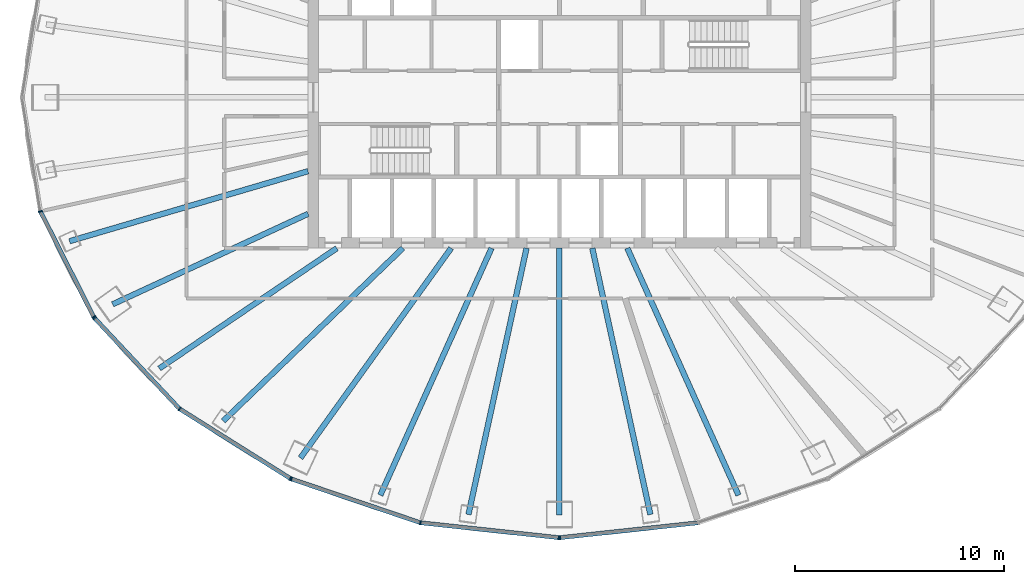
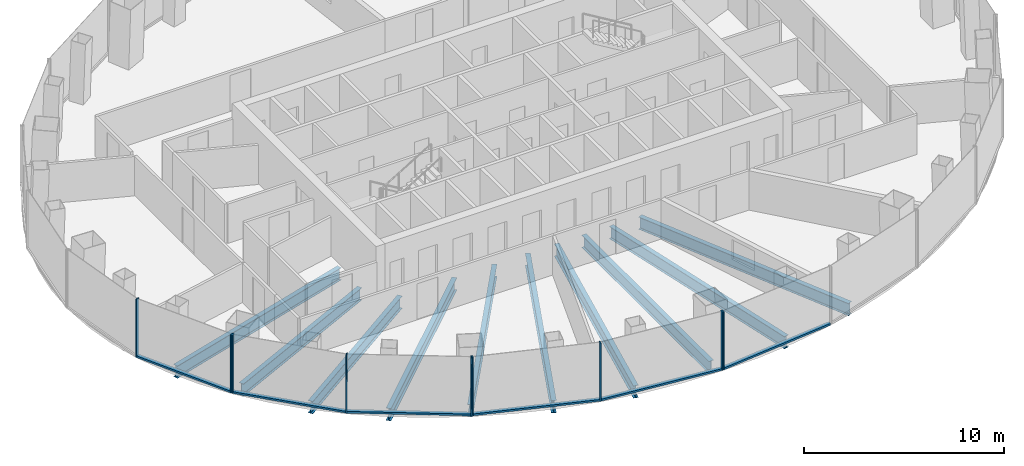
# One storey, part 2 of 12: 15 members, 10 beams, 4 elements without a shape of their own.
"""IFC4 building model written with IfcOpenShell, lengths in metres."""

from ifc_helpers import new_model, si_unit, direction, frame, origin, origin_2d, place, context, subcontext, project, spatial, rectangle, i_section, extrude, material, layer, layer_set, material_profile, profile_set, type_object, element, aggregate, save


model = new_model("IFC4")

# Units and contexts
model_context = context("Model", 3, precision=1e-05, world=origin(), true_north=direction((0.0, 1.0)))
body_context = subcontext(model_context, "Body", "Model", "MODEL_VIEW")
ifc_project = project(units=[si_unit("LENGTHUNIT", "METRE"), si_unit("AREAUNIT", "SQUARE_METRE"), si_unit("VOLUMEUNIT", "CUBIC_METRE"), si_unit("PLANEANGLEUNIT", "RADIAN"), si_unit("MASSUNIT", "GRAM", prefix="KILO")], contexts=[model_context])

# Site, building, storey
site_placement = place(None, origin())
site = spatial("IfcSite", under=ifc_project, at=site_placement, CompositionType="ELEMENT")
building_placement = place(site_placement, origin())
building = spatial("IfcBuilding", under=site, at=building_placement, Name="Siaravel Broadcast Tower", CompositionType="ELEMENT")
storey_placement = place(building_placement, frame((0.0, 0.0, 111.89990234375)))
storey = spatial("IfcBuildingStorey", under=building, at=storey_placement, Name="L26", CompositionType="ELEMENT", Elevation=111.89990234375)

# Beams
ifc_material_1 = material(Name="Steel S355", Category="steel")
ifc_material_profile_1 = material_profile(ifc_material_1, i_section(OverallWidth=0.26513671875, OverallDepth=0.75390625, WebThickness=0.0126953125, FlangeThickness=0.017578125, FilletRadius=0.0166015625, at=origin_2d()))
ifc_profile_set_1 = profile_set([ifc_material_profile_1], Name="Steel S355")
beam_type = type_object("IfcBeamType", Name="BM-UB 762x267x147", PredefinedType="BEAM", material=ifc_profile_set_1)
beam_1_placement = place(storey_placement, frame((-23.39013671875, -6.866455078125, -0.52685546875), z_axis=(0.959508819, 0.281678587, 0.0), x_axis=(-0.281678587, 0.959508819, 0.0)))
element("IfcBeam", 1, at=beam_1_placement, inside=storey, type_object=beam_type, Name="Radial beam RB21", PredefinedType="BEAM", context=body_context, shape_type="SweptSolid", body=[
    extrude(i_section(OverallWidth=0.26513671875, OverallDepth=0.75390625, WebThickness=0.0126953125, FlangeThickness=0.017578125, FilletRadius=0.0166015625, at=origin_2d()), origin(), (0.0, 0.0, 1.0), 11.870849609375),
])
beam_2_placement = place(storey_placement, frame((-21.331298828125, -9.87939453125, -0.52685546875), z_axis=(0.9074027, 0.420262227, 0.0), x_axis=(-0.420262227, 0.9074027, 0.0)))
element("IfcBeam", 2, at=beam_2_placement, inside=storey, type_object=beam_type, Name="Radial beam RB22", PredefinedType="BEAM", context=body_context, shape_type="SweptSolid", body=[
    extrude(i_section(OverallWidth=0.26513671875, OverallDepth=0.75390625, WebThickness=0.0126953125, FlangeThickness=0.017578125, FilletRadius=0.0166015625, at=origin_2d()), origin(), (0.0, 0.0, 1.0), 10.283447265625),
])
beam_3_placement = place(storey_placement, frame((-19.10498046875, -12.94287109375, -0.52685546875), z_axis=(0.827900476, 0.560875033, 0.0), x_axis=(-0.560875033, 0.827900476, 0.0)))
element("IfcBeam", 3, at=beam_3_placement, inside=storey, type_object=beam_type, Name="Radial beam RB23", PredefinedType="BEAM", context=body_context, shape_type="SweptSolid", body=[
    extrude(i_section(OverallWidth=0.26513671875, OverallDepth=0.75390625, WebThickness=0.0126953125, FlangeThickness=0.017578125, FilletRadius=0.0166015625, at=origin_2d()), origin(), (0.0, 0.0, 1.0), 10.2392578125),
])
beam_4_placement = place(storey_placement, frame((-16.046875, -15.447509765625, -0.52685546875), z_axis=(0.720435694, 0.693521745, 0.0), x_axis=(-0.693521745, 0.720435694, 0.0)))
element("IfcBeam", 4, at=beam_4_placement, inside=storey, type_object=beam_type, Name="Radial beam RB24", PredefinedType="BEAM", context=body_context, shape_type="SweptSolid", body=[
    extrude(i_section(OverallWidth=0.26513671875, OverallDepth=0.75390625, WebThickness=0.0126953125, FlangeThickness=0.017578125, FilletRadius=0.0166015625, at=origin_2d()), origin(), (0.0, 0.0, 1.0), 11.892333984375),
])
beam_5_placement = place(storey_placement, frame((-12.364501953125, -17.214599609375, -0.52685546875), z_axis=(0.583373273, 0.812204177, 0.0), x_axis=(-0.812204177, 0.583373273, 0.0)))
element("IfcBeam", 5, at=beam_5_placement, inside=storey, type_object=beam_type, Name="Radial beam RB25", PredefinedType="BEAM", context=body_context, shape_type="SweptSolid", body=[
    extrude(i_section(OverallWidth=0.26513671875, OverallDepth=0.75390625, WebThickness=0.0126953125, FlangeThickness=0.017578125, FilletRadius=0.0166015625, at=origin_2d()), origin(), (0.0, 0.0, 1.0), 12.330322265625),
])
beam_6_placement = place(storey_placement, frame((-8.55078125, -18.991455078125, -0.52685546875), z_axis=(0.4105515, 0.911837412, 0.0), x_axis=(-0.911837412, 0.4105515, 0.0)))
element("IfcBeam", 6, at=beam_6_placement, inside=storey, type_object=beam_type, Name="Radial beam RB26", PredefinedType="BEAM", context=body_context, shape_type="SweptSolid", body=[
    extrude(i_section(OverallWidth=0.26513671875, OverallDepth=0.75390625, WebThickness=0.0126953125, FlangeThickness=0.017578125, FilletRadius=0.0166015625, at=origin_2d()), origin(), (0.0, 0.0, 1.0), 12.931640625),
])
beam_7_placement = place(storey_placement, frame((-4.343017578125, -19.914794921875, -0.52685546875), z_axis=(0.213061255, 0.977038844, 0.0), x_axis=(-0.977038844, 0.213061255, 0.0)))
element("IfcBeam", 7, at=beam_7_placement, inside=storey, type_object=beam_type, Name="Radial beam RB27", PredefinedType="BEAM", context=body_context, shape_type="SweptSolid", body=[
    extrude(i_section(OverallWidth=0.26513671875, OverallDepth=0.75390625, WebThickness=0.0126953125, FlangeThickness=0.017578125, FilletRadius=0.0166015625, at=origin_2d()), origin(), (0.0, 0.0, 1.0), 13.013671875),
])
beam_8_placement = place(storey_placement, frame((0.0, -19.926025390625, -0.52685546875), z_axis=(0.0, 1.0, 0.0), x_axis=(-1.0, 0.0, 0.0)))
element("IfcBeam", 8, at=beam_8_placement, inside=storey, type_object=beam_type, Name="Radial beam RB28", PredefinedType="BEAM", context=body_context, shape_type="SweptSolid", body=[
    extrude(i_section(OverallWidth=0.26513671875, OverallDepth=0.75390625, WebThickness=0.0126953125, FlangeThickness=0.017578125, FilletRadius=0.0166015625, at=origin_2d()), origin(), (0.0, 0.0, 1.0), 12.72607421875),
])
beam_9_placement = place(storey_placement, frame((4.343017578125, -19.914794921875, -0.52685546875), z_axis=(-0.213061255, 0.977038844, 0.0), x_axis=(-0.977038844, -0.213061255, 0.0)))
element("IfcBeam", 9, at=beam_9_placement, inside=storey, type_object=beam_type, Name="Radial beam RB29", PredefinedType="BEAM", context=body_context, shape_type="SweptSolid", body=[
    extrude(i_section(OverallWidth=0.26513671875, OverallDepth=0.75390625, WebThickness=0.0126953125, FlangeThickness=0.017578125, FilletRadius=0.0166015625, at=origin_2d()), origin(), (0.0, 0.0, 1.0), 13.013671875),
])
beam_10_placement = place(storey_placement, frame((8.55078125, -18.991455078125, -0.52685546875), z_axis=(-0.4105515, 0.911837412, 0.0), x_axis=(-0.911837412, -0.4105515, 0.0)))
element("IfcBeam", 10, at=beam_10_placement, inside=storey, type_object=beam_type, Name="Radial beam RB30", PredefinedType="BEAM", context=body_context, shape_type="SweptSolid", body=[
    extrude(i_section(OverallWidth=0.26513671875, OverallDepth=0.75390625, WebThickness=0.0126953125, FlangeThickness=0.017578125, FilletRadius=0.0166015625, at=origin_2d()), origin(), (0.0, 0.0, 1.0), 12.931640625),
])

# Curtain wall, members
ifc_material_2 = material(Name="Aluminium 6063-T6", Category="aluminium")
ifc_layer = layer(ifc_material_2, 0.199951171875)
ifc_layer_set = layer_set([ifc_layer], Name="Aluminium 6063-T6")
curtain_wall_type = type_object("IfcCurtainWallType", Name="Unitised curtain wall, zone 2", PredefinedType="NOTDEFINED", material=ifc_layer_set)
curtain_wall_1_placement = place(storey_placement, origin())
curtain_wall_1 = element("IfcCurtainWall", 11, at=curtain_wall_1_placement, inside=storey, type_object=curtain_wall_type, Name="L26 Unitised curtain wall, zone 2 07", PredefinedType="NOTDEFINED")
ifc_material_profile_2 = material_profile(ifc_material_2, rectangle(XDim=0.199951171875, YDim=0.06494140625, at=origin_2d()))
ifc_profile_set_2 = profile_set([ifc_material_profile_2], Name="Aluminium 6063-T6")
member_type_1 = type_object("IfcMemberType", Name="CW-Z2 mullion", PredefinedType="MULLION", material=ifc_profile_set_2)
member_1_placement = place(storey_placement, frame((-24.7802734375, -5.44384765625, 0.0), z_axis=(0.0, 0.0, 1.0), x_axis=(0.951177123, 0.308645559, 0.0)))
member_1 = element("IfcMember", 12, at=member_1_placement, type_object=member_type_1, Name="CW-Z2 mullion 2", PredefinedType="MULLION", context=body_context, shape_type="SweptSolid", body=[
    extrude(rectangle(XDim=0.199951171875, YDim=0.06494140625, at=origin_2d()), origin(), (0.0, 0.0, 1.0), 3.550048828125),
])
member_2_placement = place(storey_placement, frame((-22.23046875, -10.486572265625, 0.0), z_axis=(0.0, 0.0, 1.0), x_axis=(0.892391899, 0.451261231, 0.0)))
member_2 = element("IfcMember", 13, at=member_2_placement, type_object=member_type_1, Name="CW-Z2 mullion 3", PredefinedType="MULLION", context=body_context, shape_type="SweptSolid", body=[
    extrude(rectangle(XDim=0.199951171875, YDim=0.06494140625, at=origin_2d()), origin(), (0.0, 0.0, 1.0), 3.550048828125),
])

curtain_wall_2_placement = place(storey_placement, origin())
curtain_wall_2 = element("IfcCurtainWall", 14, at=curtain_wall_2_placement, inside=storey, type_object=curtain_wall_type, Name="L26 Unitised curtain wall, zone 2 08", PredefinedType="NOTDEFINED")
member_3_placement = place(storey_placement, frame((-22.193603515625, -10.539306640625, 0.0), z_axis=(0.0, 0.0, 1.0), x_axis=(0.729804977, 0.683655392, 0.0)))
member_3 = element("IfcMember", 15, at=member_3_placement, type_object=member_type_1, Name="CW-Z2 mullion 1", PredefinedType="MULLION", context=body_context, shape_type="SweptSolid", body=[
    extrude(rectangle(XDim=0.199951171875, YDim=0.06494140625, at=origin_2d()), origin(), (0.0, 0.0, 1.0), 3.550048828125),
])
member_4_placement = place(storey_placement, frame((-18.137451171875, -14.869384765625, 0.0), z_axis=(0.0, 0.0, 1.0), x_axis=(0.63621839, 0.771509015, 0.0)))
member_4 = element("IfcMember", 16, at=member_4_placement, type_object=member_type_1, Name="CW-Z2 mullion 2", PredefinedType="MULLION", context=body_context, shape_type="SweptSolid", body=[
    extrude(rectangle(XDim=0.199951171875, YDim=0.06494140625, at=origin_2d()), origin(), (0.0, 0.0, 1.0), 3.550048828125),
])
member_5_placement = place(storey_placement, frame((-12.8515625, -18.191650390625, 0.0), z_axis=(0.0, 0.0, 1.0), x_axis=(0.532149019, 0.846650708, 0.0)))
member_5 = element("IfcMember", 17, at=member_5_placement, type_object=member_type_1, Name="CW-Z2 mullion 3", PredefinedType="MULLION", context=body_context, shape_type="SweptSolid", body=[
    extrude(rectangle(XDim=0.199951171875, YDim=0.06494140625, at=origin_2d()), origin(), (0.0, 0.0, 1.0), 3.550048828125),
])

curtain_wall_3_placement = place(storey_placement, origin())
curtain_wall_3 = element("IfcCurtainWall", 18, at=curtain_wall_3_placement, inside=storey, type_object=curtain_wall_type, Name="L26 Unitised curtain wall, zone 2 09", PredefinedType="NOTDEFINED")
member_6_placement = place(storey_placement, frame((-12.793212890625, -18.21923828125, 0.0), z_axis=(0.0, 0.0, 1.0), x_axis=(0.321300513, 0.946977286, 0.0)))
member_6 = element("IfcMember", 19, at=member_6_placement, type_object=member_type_1, Name="CW-Z2 mullion 1", PredefinedType="MULLION", context=body_context, shape_type="SweptSolid", body=[
    extrude(rectangle(XDim=0.199951171875, YDim=0.06494140625, at=origin_2d()), origin(), (0.0, 0.0, 1.0), 3.550048828125),
])
member_7_placement = place(storey_placement, frame((-6.637939453125, -20.307861328125, 0.0), z_axis=(0.0, 0.0, 1.0), x_axis=(0.215557996, 0.97649104, 0.0)))
member_7 = element("IfcMember", 20, at=member_7_placement, type_object=member_type_1, Name="CW-Z2 mullion 2", PredefinedType="MULLION", context=body_context, shape_type="SweptSolid", body=[
    extrude(rectangle(XDim=0.199951171875, YDim=0.06494140625, at=origin_2d()), origin(), (0.0, 0.0, 1.0), 3.550048828125),
])
member_8_placement = place(storey_placement, frame((-0.0322265625, -21.02001953125, 0.0), z_axis=(0.0, 0.0, 1.0), x_axis=(0.107217456, 0.994235594, 0.0)))
member_8 = element("IfcMember", 21, at=member_8_placement, type_object=member_type_1, Name="CW-Z2 mullion 3", PredefinedType="MULLION", context=body_context, shape_type="SweptSolid", body=[
    extrude(rectangle(XDim=0.199951171875, YDim=0.06494140625, at=origin_2d()), origin(), (0.0, 0.0, 1.0), 3.550048828125),
])

# Curtain wall, member
curtain_wall_4_placement = place(storey_placement, origin())
curtain_wall_4 = element("IfcCurtainWall", 22, at=curtain_wall_4_placement, inside=storey, type_object=curtain_wall_type, Name="L26 Unitised curtain wall, zone 2 10", PredefinedType="NOTDEFINED")
member_9_placement = place(storey_placement, frame((0.0322265625, -21.02001953125, 0.0), z_axis=(0.0, 0.0, 1.0), x_axis=(-0.107217456, 0.994235594, 0.0)))
member_9 = element("IfcMember", 23, at=member_9_placement, type_object=member_type_1, Name="CW-Z2 mullion 1", PredefinedType="MULLION", context=body_context, shape_type="SweptSolid", body=[
    extrude(rectangle(XDim=0.199951171875, YDim=0.06494140625, at=origin_2d()), origin(), (0.0, 0.0, 1.0), 3.550048828125),
])

# Member
ifc_material_profile_3 = material_profile(ifc_material_2, rectangle(XDim=0.199951171875, YDim=0.110107421875, at=origin_2d()))
ifc_profile_set_3 = profile_set([ifc_material_profile_3], Name="Aluminium 6063-T6")
member_type_2 = type_object("IfcMemberType", Name="CW-Z2 transom", PredefinedType="USERDEFINED", material=ifc_profile_set_3)
member_10_placement = place(storey_placement, frame((-24.765625, -5.472900390625, 0.05517578125), z_axis=(0.451247712, -0.892398735, 0.0), x_axis=(0.892398735, 0.451247712, 0.0)))
member_10 = element("IfcMember", 24, at=member_10_placement, type_object=member_type_2, Name="CW-Z2 transom 2", ObjectType="TRANSOM", PredefinedType="USERDEFINED", context=body_context, shape_type="SweptSolid", body=[
    extrude(rectangle(XDim=0.199951171875, YDim=0.110107421875, at=origin_2d()), origin(), (0.0, 0.0, 1.0), 5.585693359375),
])

aggregate(curtain_wall_1, [member_1, member_2, member_10])

member_11_placement = place(storey_placement, frame((-22.17138671875, -10.56298828125, 0.05517578125), z_axis=(0.683660134, -0.729800536, 0.0), x_axis=(0.729800536, 0.683660134, 0.0)))
member_11 = element("IfcMember", 25, at=member_11_placement, type_object=member_type_2, Name="CW-Z2 transom 1", ObjectType="TRANSOM", PredefinedType="USERDEFINED", context=body_context, shape_type="SweptSolid", body=[
    extrude(rectangle(XDim=0.199951171875, YDim=0.110107421875, at=origin_2d()), origin(), (0.0, 0.0, 1.0), 5.867919921875),
])

member_12_placement = place(storey_placement, frame((-18.10986328125, -14.886474609375, 0.05517578125), z_axis=(0.846639093, -0.532167499, 0.0), x_axis=(0.532167499, 0.846639093, 0.0)))
member_12 = element("IfcMember", 26, at=member_12_placement, type_object=member_type_2, Name="CW-Z2 transom 2", ObjectType="TRANSOM", PredefinedType="USERDEFINED", context=body_context, shape_type="SweptSolid", body=[
    extrude(rectangle(XDim=0.199951171875, YDim=0.110107421875, at=origin_2d()), origin(), (0.0, 0.0, 1.0), 6.17822265625),
])

aggregate(curtain_wall_2, [member_3, member_4, member_5, member_11, member_12])

member_13_placement = place(storey_placement, frame((-12.762451171875, -18.229736328125, 0.05517578125), z_axis=(0.946973753, -0.321310926, 0.0), x_axis=(0.321310926, 0.946973753, 0.0)))
member_13 = element("IfcMember", 27, at=member_13_placement, type_object=member_type_2, Name="CW-Z2 transom 1", ObjectType="TRANSOM", PredefinedType="USERDEFINED", context=body_context, shape_type="SweptSolid", body=[
    extrude(rectangle(XDim=0.199951171875, YDim=0.110107421875, at=origin_2d()), origin(), (0.0, 0.0, 1.0), 6.43505859375),
])

member_14_placement = place(storey_placement, frame((-6.60546875, -20.311279296875, 0.05517578125), z_axis=(0.994236057, -0.107213167, 0.0), x_axis=(0.107213167, 0.994236057, 0.0)))
member_14 = element("IfcMember", 28, at=member_14_placement, type_object=member_type_2, Name="CW-Z2 transom 2", ObjectType="TRANSOM", PredefinedType="USERDEFINED", context=body_context, shape_type="SweptSolid", body=[
    extrude(rectangle(XDim=0.199951171875, YDim=0.110107421875, at=origin_2d()), origin(), (0.0, 0.0, 1.0), 6.57861328125),
])

aggregate(curtain_wall_3, [member_6, member_7, member_8, member_13, member_14])

member_15_placement = place(storey_placement, frame((0.064697265625, -21.0166015625, 0.05517578125), z_axis=(0.994236057, 0.107213167, 0.0), x_axis=(-0.107213167, 0.994236057, 0.0)))
member_15 = element("IfcMember", 29, at=member_15_placement, type_object=member_type_2, Name="CW-Z2 transom 1", ObjectType="TRANSOM", PredefinedType="USERDEFINED", context=body_context, shape_type="SweptSolid", body=[
    extrude(rectangle(XDim=0.199951171875, YDim=0.110107421875, at=origin_2d()), origin(), (0.0, 0.0, 1.0), 6.57861328125),
])

aggregate(curtain_wall_4, [member_9, member_15])

save(model, "model.ifc")
